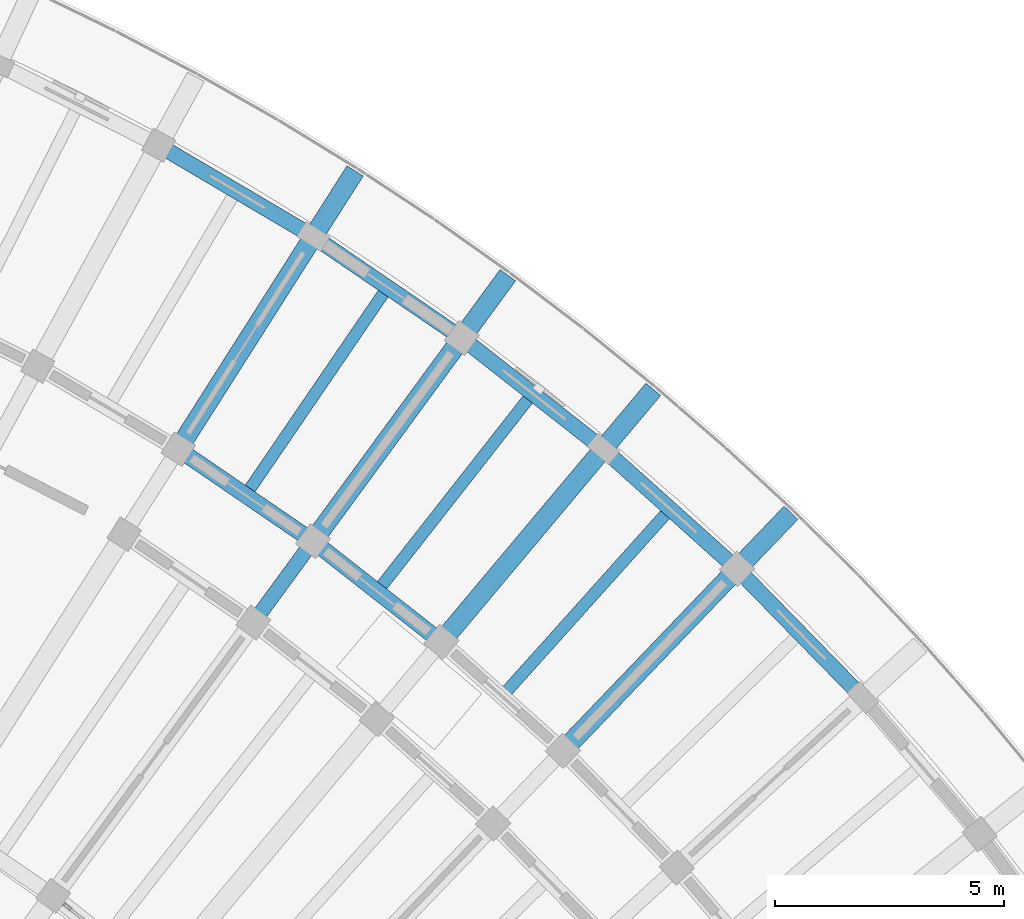
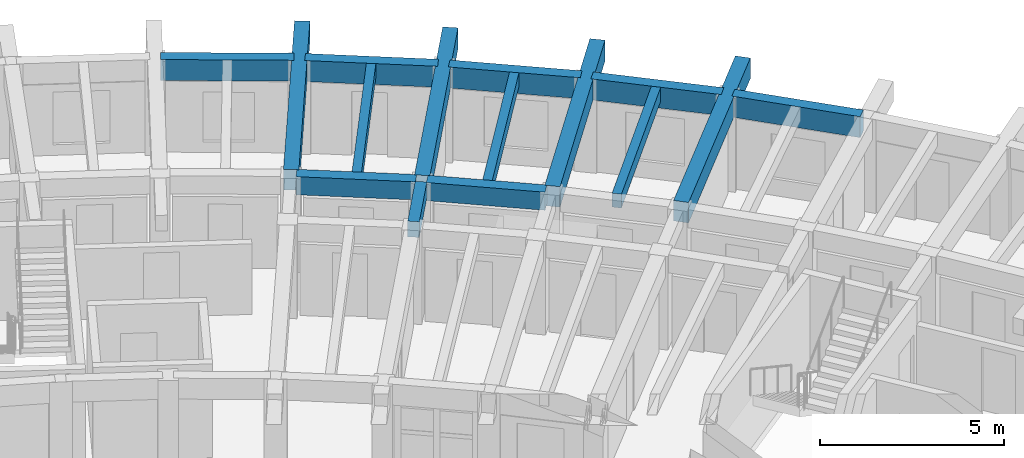
# One storey, part 41 of 96: 15 beams.
"""IFC4 building model written with IfcOpenShell, lengths in metres."""

import ifcopenshell
import ifcopenshell.guid

model = None  # the IFC model being written
_history = None  # IfcOwnerHistory: only IFC2X3 demands one
_inside = {}  # id of a spatial element -> (the spatial element, [elements in it])
_under = {}  # id of a project, library or spatial element -> (it, [spatial elements below it])
_declared = {}  # id of a project -> (the project, [libraries it declares])
_typed = {}  # id of a type object -> (the type object, [elements of that type])
_made_of = {}  # id of a material, layer set ... -> (it, [elements and type objects made of it])


def new_model(schema):
    """Start an empty IFC model of exactly this schema.

    Asked for "IFC4X3", IfcOpenShell would pick the latest addendum, in which some entities
    have other attributes; the version numbers below select the first issue.
    IFC2X3 requires an IfcOwnerHistory on every rooted entity: one is made here for all.
    """
    global model, _history
    if schema == "IFC4X3":
        model = ifcopenshell.file(schema_version=(4, 3, 0, 0))
    else:
        model = ifcopenshell.file(schema=schema)
    _inside.clear()
    _under.clear()
    _declared.clear()
    _typed.clear()
    _made_of.clear()
    _history = None
    if model.schema == "IFC2X3":
        org = make("IfcOrganization", Name="unknown")
        user = make(
            "IfcPersonAndOrganization",
            ThePerson=make("IfcPerson", FamilyName="unknown"),
            TheOrganization=org,
        )
        app = make(
            "IfcApplication",
            ApplicationDeveloper=org,
            Version="unknown",
            ApplicationFullName="unknown",
            ApplicationIdentifier="unknown",
        )
        _history = make(
            "IfcOwnerHistory",
            OwningUser=user,
            OwningApplication=app,
            ChangeAction="ADDED",
            CreationDate=0,
        )
    return model


def make(cls, **values):
    """One entity of the class cls with the attributes given. An attribute that is None is left unset."""
    return model.create_entity(
        cls, **{name: value for name, value in values.items() if value is not None}
    )


def rooted(cls, **values):
    """An entity with a GlobalId (a new one), such as an element, a storey or a relation."""
    return make(cls, GlobalId=ifcopenshell.guid.new(), OwnerHistory=_history, **values)


def si_unit(unit_type, name, prefix=None):
    """IfcSIUnit, for example si_unit("LENGTHUNIT", "METRE", prefix="MILLI")."""
    return make("IfcSIUnit", UnitType=unit_type, Prefix=prefix, Name=name)


def assignment(units):
    """IfcUnitAssignment: the units of a project."""
    return None if units is None else make("IfcUnitAssignment", Units=units)


def point(xyz):
    """IfcCartesianPoint."""
    return None if xyz is None else make("IfcCartesianPoint", Coordinates=xyz)


def direction(xyz):
    """IfcDirection."""
    return None if xyz is None else make("IfcDirection", DirectionRatios=xyz)


def frame(location, z_axis=None, x_axis=None):
    """IfcAxis2Placement3D, a coordinate frame: its origin and axes. An axis left out is left unset."""
    return make(
        "IfcAxis2Placement3D",
        Location=point(location),
        Axis=direction(z_axis),
        RefDirection=direction(x_axis),
    )


def frame_2d(location, x_axis=None):
    """IfcAxis2Placement2D, a coordinate frame in the plane: its origin and x axis."""
    return make(
        "IfcAxis2Placement2D", Location=point(location), RefDirection=direction(x_axis)
    )


def origin():
    """The frame at (0, 0, 0) with its axes left unset."""
    return frame((0.0, 0.0, 0.0))


def origin_2d():
    """The frame at (0, 0) in the plane with its x axis left unset."""
    return frame_2d((0.0, 0.0))


def place(relative_to, where):
    """IfcLocalPlacement: puts the frame where relative to a parent placement (None: the world)."""
    return make(
        "IfcLocalPlacement", PlacementRelTo=relative_to, RelativePlacement=where
    )


def context(
    kind, dimensions, precision=None, world=None, true_north=None, identifier=None
):
    """IfcGeometricRepresentationContext, for example the 3D "Model" context."""
    return make(
        "IfcGeometricRepresentationContext",
        ContextIdentifier=identifier,
        ContextType=kind,
        CoordinateSpaceDimension=dimensions,
        Precision=precision,
        WorldCoordinateSystem=world,
        TrueNorth=true_north,
    )


def subcontext(parent, identifier, kind, view, scale=None):
    """IfcGeometricRepresentationSubContext, for example "Body" below "Model"."""
    return make(
        "IfcGeometricRepresentationSubContext",
        ContextIdentifier=identifier,
        ContextType=kind,
        ParentContext=parent,
        TargetScale=scale,
        TargetView=view,
    )


def project(units=None, contexts=None):
    """IfcProject with its units and contexts."""
    return rooted(
        "IfcProject",
        Name="project",
        RepresentationContexts=contexts,
        UnitsInContext=assignment(units),
    )


def spatial(cls, under=None, at=None, **own):
    """A site, building, storey or space (cls), placed at a placement, below another one or the project."""
    s = rooted(cls, ObjectPlacement=at, **own)
    if under is not None:
        _under.setdefault(under.id(), (under, []))[1].append(s)
    return s


def profile(cls, at=None, kind="AREA", **sizes):
    """A parametric profile (cls). Its sizes go by their IFC names, for example OverallWidth=200.0."""
    return make(cls, ProfileType=kind, Position=at, **sizes)


def rectangle(**sizes):
    """IfcRectangleProfileDef."""
    return profile("IfcRectangleProfileDef", **sizes)


def extrude(swept, where, along, depth):
    """IfcExtrudedAreaSolid: the profile swept, set in the frame where, extruded along a direction by depth."""
    return make(
        "IfcExtrudedAreaSolid",
        SweptArea=swept,
        Position=where,
        ExtrudedDirection=direction(along),
        Depth=depth,
    )


def shape(context_of_items, identifier, shape_type, items):
    """IfcShapeRepresentation: the items that make up one representation, for example the "Body"."""
    return make(
        "IfcShapeRepresentation",
        ContextOfItems=context_of_items,
        RepresentationIdentifier=identifier,
        RepresentationType=shape_type,
        Items=items,
    )


def material(Name=None, Category=None):
    """IfcMaterial."""
    return make("IfcMaterial", Name=Name, Category=Category)


def material_profile(
    of_material, cross_section, Name=None, Category=None, Priority=None
):
    """IfcMaterialProfile: a cross section and its material."""
    return make(
        "IfcMaterialProfile",
        Name=Name,
        Material=of_material,
        Profile=cross_section,
        Priority=Priority,
        Category=Category,
    )


def profile_set(profiles, Name=None, composite=None):
    """IfcMaterialProfileSet."""
    return make(
        "IfcMaterialProfileSet",
        Name=Name,
        MaterialProfiles=profiles,
        CompositeProfile=composite,
    )


def made_of(thing, what):
    """Note that an element or type object is made of a material, layer set ...; save() writes the relation."""
    if what is not None:
        _made_of.setdefault(what.id(), (what, []))[1].append(thing)
    return thing


def type_object(cls, material=None, **own):
    """A type object (cls), such as IfcWallType, which elements share."""
    return made_of(rooted(cls, **own), material)


def element(
    cls,
    number,
    at=None,
    inside=None,
    cuts=None,
    type_object=None,
    material=None,
    context=None,
    identifier="Body",
    shape_type=None,
    held_by="IfcProductDefinitionShape",
    body=None,
    shapes=None,
    **own,
):
    """One element of the class cls, such as IfcWall. Its Tag is "e" and its number.

    at: its placement. inside: the storey or other place that contains it. cuts: it is an
    opening in that element (IfcRelVoidsElement). A single representation is given by context,
    identifier, shape_type and body (its items); several are given by shapes. held_by: the class
    of the entity that holds the representations. save() writes the other relations.
    """
    e = rooted(cls, Tag="e%d" % number, ObjectPlacement=at, **own)
    if body is not None:
        shapes = [shape(context, identifier, shape_type, body)]
    if shapes is not None:
        e.Representation = make(held_by, Representations=shapes)
    if inside is not None:
        _inside.setdefault(inside.id(), (inside, []))[1].append(e)
    if cuts is not None:
        rooted(
            "IfcRelVoidsElement", RelatingBuildingElement=cuts, RelatedOpeningElement=e
        )
    if type_object is not None:
        _typed.setdefault(type_object.id(), (type_object, []))[1].append(e)
    return made_of(e, material)


def aggregate(whole, parts):
    """IfcRelAggregates: a whole, such as a stair, and the parts it consists of."""
    return rooted("IfcRelAggregates", RelatingObject=whole, RelatedObjects=parts)


def save(model, path):
    """Write the relations noted so far, then the file.

    IfcRelAggregates (storeys below a building ...), IfcRelContainedInSpatialStructure (elements
    in a storey), IfcRelDefinesByType, IfcRelAssociatesMaterial and IfcRelDeclares: one each for
    every whole, place, type object, material and project.
    """
    for whole, parts in _under.values():
        aggregate(whole, parts)
    for where, things in _inside.values():
        rooted(
            "IfcRelContainedInSpatialStructure",
            RelatedElements=things,
            RelatingStructure=where,
        )
    for kind, things in _typed.values():
        rooted("IfcRelDefinesByType", RelatedObjects=things, RelatingType=kind)
    for what, things in _made_of.values():
        rooted("IfcRelAssociatesMaterial", RelatedObjects=things, RelatingMaterial=what)
    for by, libraries in _declared.values():
        rooted("IfcRelDeclares", RelatingContext=by, RelatedDefinitions=libraries)
    model.write(path)


model = new_model("IFC4")

# Units and contexts
model_context = context("Model", 3, precision=1e-05, world=origin(), true_north=direction((0.0, 1.0)))
body_context = subcontext(model_context, "Body", "Model", "MODEL_VIEW")
ifc_project = project(units=[si_unit("LENGTHUNIT", "METRE"), si_unit("AREAUNIT", "SQUARE_METRE"), si_unit("VOLUMEUNIT", "CUBIC_METRE"), si_unit("PLANEANGLEUNIT", "RADIAN"), si_unit("MASSUNIT", "GRAM", prefix="KILO")], contexts=[model_context])

# Site, building, storey
site_placement = place(None, origin())
site = spatial("IfcSite", under=ifc_project, at=site_placement, CompositionType="ELEMENT")
building_placement = place(site_placement, origin())
building = spatial("IfcBuilding", under=site, at=building_placement, Name="Tanwirah Colonnade Gardens", CompositionType="ELEMENT")
storey_placement = place(building_placement, frame((0.0, 0.0, 12.199951171875)))
storey = spatial("IfcBuildingStorey", under=building, at=storey_placement, Name="L03", CompositionType="ELEMENT", Elevation=12.199951171875)

# Beams
ifc_material_1 = material(Name="Precast concrete C40/50", Category="concrete")
ifc_material_profile_1 = material_profile(ifc_material_1, rectangle(XDim=0.320068359375, YDim=0.52001953125, at=origin_2d()), Name="PC-BM 320x520")
ifc_profile_set_1 = profile_set([ifc_material_profile_1], Name="Precast concrete C40/50")
beam_type_1 = type_object("IfcBeamType", Name="BM-PC320", PredefinedType="BEAM", material=ifc_profile_set_1)
beam_1_placement = place(storey_placement, frame((151.727783203125, 102.14990234375, 2.844970703125), z_axis=(0.590895676149, 0.806747977939, 0.0), x_axis=(-0.806747977939, 0.590895676149, 0.0)))
element("IfcBeam", 1, at=beam_1_placement, inside=storey, type_object=beam_type_1, Name="Block B L03 Corridor Tie Beam 10", PredefinedType="BEAM", context=body_context, shape_type="SweptSolid", body=[
    extrude(rectangle(XDim=0.320068359375, YDim=0.52001953125, at=origin_2d()), origin(), (0.0, 0.0, 1.0), 1.900146484375),
])
ifc_material_profile_2 = material_profile(ifc_material_1, rectangle(XDim=0.35009765625, YDim=0.60009765625, at=origin_2d()), Name="PC-BM 350x600")
ifc_profile_set_2 = profile_set([ifc_material_profile_2], Name="Precast concrete C40/50")
beam_type_2 = type_object("IfcBeamType", Name="BM-PC350B", PredefinedType="BEAM", material=ifc_profile_set_2)
for number, where, z_axis, x_axis, name in (
    (2, (155.624755859375, 101.697265625, 2.804931640625), (-0.786839882256, 0.617157192044, 0.0), (-0.617157192044, -0.786839882256, 0.0), "Block B L03 Circumferential Beam 9-R2"),
    (3, (152.815185546875, 103.888427734375, 2.804931640625), (-0.825782284145, 0.563989024, 0.0), (-0.563989024, -0.825782284145, 0.0), "Block B L03 Circumferential Beam 10-R2"),
):
    element("IfcBeam", number, at=place(storey_placement, frame(where, z_axis=z_axis, x_axis=x_axis)), inside=storey, type_object=beam_type_2, Name=name, PredefinedType="BEAM", context=body_context, shape_type="SweptSolid", body=[
        extrude(rectangle(XDim=0.35009765625, YDim=0.60009765625, at=origin_2d()), origin(), (0.0, 0.0, 1.0), 3.26318359375),
    ])
ifc_material_2 = material(Name="Precast concrete C45/55", Category="concrete")
ifc_material_profile_3 = material_profile(ifc_material_2, rectangle(XDim=0.419921875, YDim=0.679931640625, at=origin_2d()), Name="PC-BM 420x680")
ifc_profile_set_3 = profile_set([ifc_material_profile_3], Name="Precast concrete C45/55")
beam_type_3 = type_object("IfcBeamType", Name="BM-PC420", PredefinedType="BEAM", material=ifc_profile_set_3)
beam_2_placement = place(storey_placement, frame((158.4990234375, 99.333984375, 2.76513671875), z_axis=(0.691864746793, 0.722027127015, 0.0), x_axis=(-0.722027127015, 0.691864746793, 0.0)))
element("IfcBeam", 4, at=beam_2_placement, inside=storey, type_object=beam_type_3, Name="Block B L03 Outer Radial Precast Girder 8", PredefinedType="BEAM", context=body_context, shape_type="SweptSolid", body=[
    extrude(rectangle(XDim=0.419921875, YDim=0.679931640625, at=origin_2d()), origin(), (0.0, 0.0, 1.0), 7.050048828125),
])
beam_3_placement = place(storey_placement, frame((155.839111328125, 101.7197265625, 2.76513671875), z_axis=(0.642810291951, 0.766025409867, 0.0), x_axis=(-0.766025409867, 0.642810291951, 0.0)))
element("IfcBeam", 5, at=beam_3_placement, inside=storey, type_object=beam_type_3, Name="Block B L03 Outer Radial Precast Girder 9", PredefinedType="BEAM", context=body_context, shape_type="SweptSolid", body=[
    extrude(rectangle(XDim=0.419921875, YDim=0.679931640625, at=origin_2d()), origin(), (0.0, 0.0, 1.0), 7.0498046875),
])
for number, where, z_axis, x_axis, name in (
    (6, (153.02783203125, 103.9248046875, 2.76513671875), (0.590919194225, 0.806730751798, 0.0), (-0.806730751798, 0.590919194225, 0.0), "Block B L03 Outer Radial Precast Girder 10"),
    (7, (150.077392578125, 105.93994140625, 2.76513671875), (0.536451921133, 0.843930883611, 0.0), (-0.843930883611, 0.536451921133, 0.0), "Block B L03 Outer Radial Precast Girder 11"),
):
    element("IfcBeam", number, at=place(storey_placement, frame(where, z_axis=z_axis, x_axis=x_axis)), inside=storey, type_object=beam_type_3, Name=name, PredefinedType="BEAM", context=body_context, shape_type="SweptSolid", body=[
        extrude(rectangle(XDim=0.419921875, YDim=0.679931640625, at=origin_2d()), origin(), (0.0, 0.0, 1.0), 7.050048828125),
    ])
ifc_material_profile_4 = material_profile(ifc_material_1, rectangle(XDim=0.260009765625, YDim=0.4599609375, at=origin_2d()), Name="PC-JST 260x460")
ifc_profile_set_4 = profile_set([ifc_material_profile_4], Name="Precast concrete C40/50")
beam_type_4 = type_object("IfcBeamType", Name="JST-PC260", PredefinedType="JOIST", material=ifc_profile_set_4)
for number, where, z_axis, x_axis, name in (
    (8, (157.168701171875, 100.5263671875, 2.875), (0.667678987176, 0.744449306591, 0.0), (-0.744449306591, 0.667678987176, 0.0), "Block B L03 Precast Floor Joist 8"),
    (9, (154.43310546875, 102.82177734375, 2.875), (0.617177687243, 0.786823806433, 0.0), (-0.786823806433, 0.617177687243, 0.0), "Block B L03 Precast Floor Joist 9"),
    (10, (151.55224609375, 104.931884765625, 2.875), (0.563973225998, 0.825793073571, 0.0), (-0.825793073571, 0.563973225998, 0.0), "Block B L03 Precast Floor Joist 10"),
):
    element("IfcBeam", number, at=place(storey_placement, frame(where, z_axis=z_axis, x_axis=x_axis)), inside=storey, type_object=beam_type_4, Name=name, PredefinedType="JOIST", context=body_context, shape_type="SweptSolid", body=[
        extrude(rectangle(XDim=0.260009765625, YDim=0.4599609375, at=origin_2d()), origin(), (0.0, 0.0, 1.0), 5.260009765625),
    ])
ifc_material_profile_5 = material_profile(ifc_material_1, rectangle(XDim=0.3349609375, YDim=0.695068359375, at=origin_2d()), Name="PC-SP 335x695")
ifc_profile_set_5 = profile_set([ifc_material_profile_5], Name="Precast concrete C40/50")
beam_type_5 = type_object("IfcBeamType", Name="SP-PC300", PredefinedType="SPANDREL", material=ifc_profile_set_5)
beam_4_placement = place(storey_placement, frame((164.839111328125, 100.49609375, 2.757568359375), z_axis=(-0.698844493997, 0.715273635199, 0.0), x_axis=(-0.715273635199, -0.698844493997, 0.0)))
element("IfcBeam", 11, at=beam_4_placement, inside=storey, type_object=beam_type_5, Name="Block B L03 Circumferential Beam 7-R3", PredefinedType="SPANDREL", context=body_context, shape_type="SweptSolid", body=[
    extrude(rectangle(XDim=0.3349609375, YDim=0.695068359375, at=origin_2d()), origin(), (0.0, 0.0, 1.0), 3.6259765625),
])
beam_5_placement = place(storey_placement, frame((162.0888671875, 103.296875, 2.757568359375), z_axis=(-0.744444790955, 0.667684021989, 0.0), x_axis=(-0.667684021989, -0.744444790955, 0.0)))
element("IfcBeam", 12, at=beam_5_placement, inside=storey, type_object=beam_type_5, Name="Block B L03 Circumferential Beam 8-R3", PredefinedType="SPANDREL", context=body_context, shape_type="SweptSolid", body=[
    extrude(rectangle(XDim=0.3349609375, YDim=0.695068359375, at=origin_2d()), origin(), (0.0, 0.0, 1.0), 3.625732421875),
])
beam_6_placement = place(storey_placement, frame((159.159912109375, 105.91064453125, 2.757568359375), z_axis=(-0.786843799845, 0.617152197311, 0.0), x_axis=(-0.617152197311, -0.786843799845, 0.0)))
element("IfcBeam", 13, at=beam_6_placement, inside=storey, type_object=beam_type_5, Name="Block B L03 Circumferential Beam 9-R3", PredefinedType="SPANDREL", context=body_context, shape_type="SweptSolid", body=[
    extrude(rectangle(XDim=0.3349609375, YDim=0.695068359375, at=origin_2d()), origin(), (0.0, 0.0, 1.0), 3.62548828125),
])
for number, where, z_axis, x_axis, name in (
    (14, (156.0654296875, 108.325439453125, 2.757568359375), (-0.825782625102, 0.563988524776, 0.0), (-0.563988524776, -0.825782625102, 0.0), "Block B L03 Circumferential Beam 10-R3"),
    (15, (152.818359375, 110.53125, 2.757568359375), (-0.861136912545, 0.5083731089, 0.0), (-0.5083731089, -0.861136912545, 0.0), "Block B L03 Circumferential Beam 11-R3"),
):
    element("IfcBeam", number, at=place(storey_placement, frame(where, z_axis=z_axis, x_axis=x_axis)), inside=storey, type_object=beam_type_5, Name=name, PredefinedType="SPANDREL", context=body_context, shape_type="SweptSolid", body=[
        extrude(rectangle(XDim=0.3349609375, YDim=0.695068359375, at=origin_2d()), origin(), (0.0, 0.0, 1.0), 3.625732421875),
    ])

save(model, "model.ifc")
